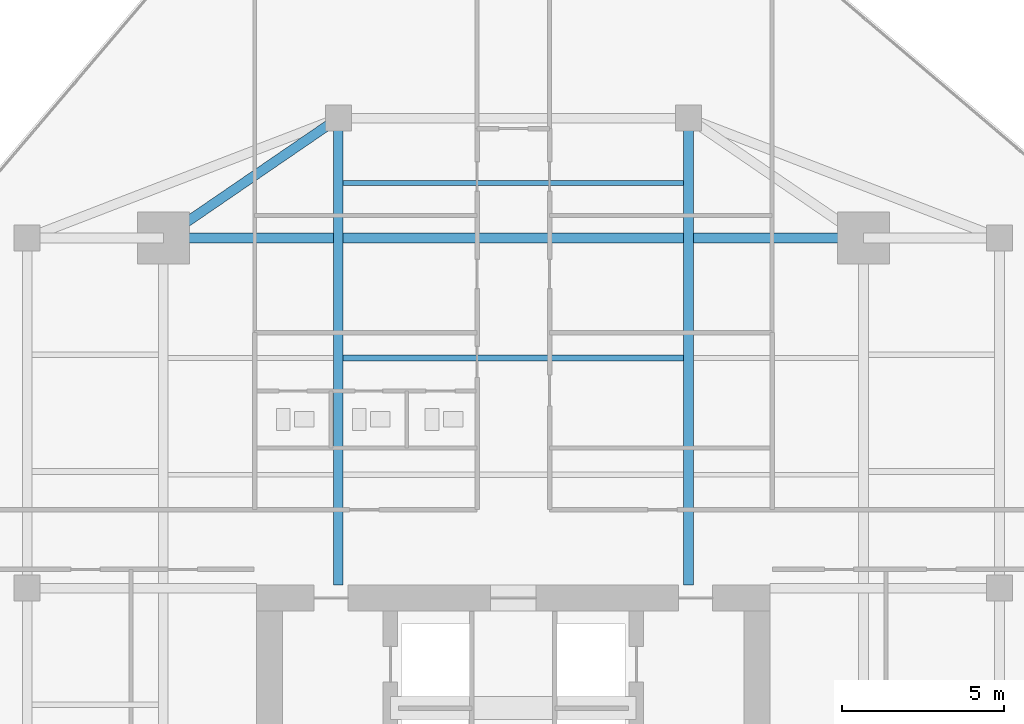
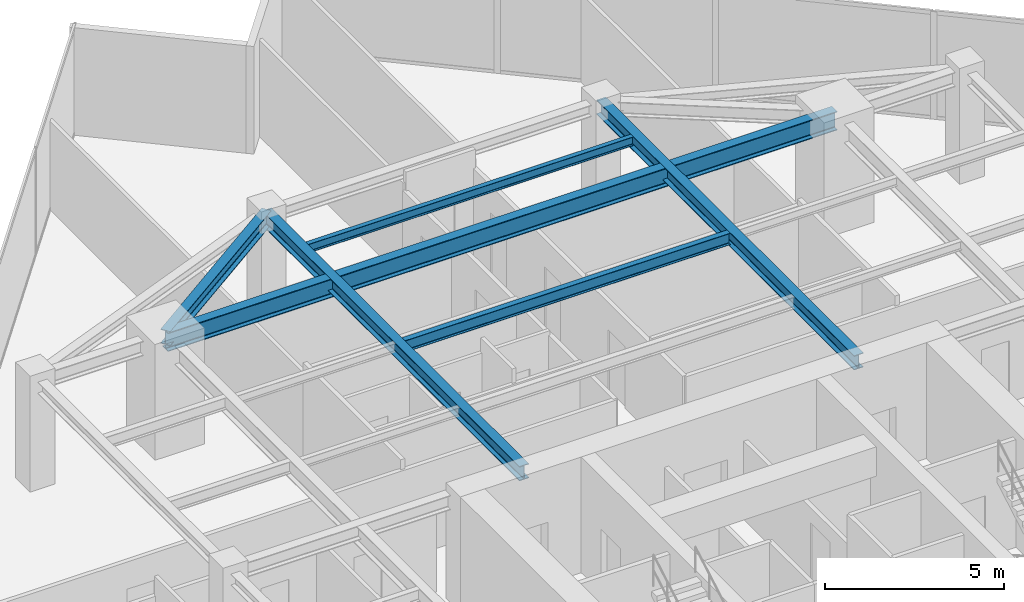
# One storey, part 16 of 25: 6 beams.
"""IFC4 building model written with IfcOpenShell, lengths in metres."""

from ifc_helpers import new_model, si_unit, direction, frame, origin, origin_2d, place, context, subcontext, project, spatial, i_section, extrude, source, transform, mapped, material, material_profile, profile_set, type_object, type_shapes, element, save


model = new_model("IFC4")

# Units and contexts
model_context = context("Model", 3, precision=1e-05, world=origin(), true_north=direction((0.0, 1.0)))
body_context = subcontext(model_context, "Body", "Model", "MODEL_VIEW")
ifc_project = project(units=[si_unit("LENGTHUNIT", "METRE"), si_unit("AREAUNIT", "SQUARE_METRE"), si_unit("VOLUMEUNIT", "CUBIC_METRE"), si_unit("PLANEANGLEUNIT", "RADIAN"), si_unit("MASSUNIT", "GRAM", prefix="KILO")], contexts=[model_context])

# Site, building, storey
site_placement = place(None, origin())
site = spatial("IfcSite", under=ifc_project, at=site_placement, CompositionType="ELEMENT")
building_placement = place(site_placement, origin())
building = spatial("IfcBuilding", under=site, at=building_placement, Name="Krantzveldt Concourse Tower", CompositionType="ELEMENT")
storey_placement = place(building_placement, frame((0.0, 0.0, 215.199951171875)))
storey = spatial("IfcBuildingStorey", under=building, at=storey_placement, Name="L52", CompositionType="ELEMENT", Elevation=215.199951171875)

# Beams
ifc_material = material(Name="Steel S355JR", Category="steel")
ifc_material_profile_1 = material_profile(ifc_material, i_section(OverallWidth=0.300048828125, OverallDepth=0.639892578125, WebThickness=0.013427734375, FlangeThickness=0.02587890625, FilletRadius=0.027099609375, at=origin_2d()), Name="Steel S355JR", Category="steel")
ifc_profile_set_1 = profile_set([ifc_material_profile_1], Name="Steel S355JR - HEA 650")
beam_type_1 = type_object("IfcBeamType", Name="BM-B-HEA650", PredefinedType="BEAM", material=ifc_profile_set_1)
shared_shape_1 = source(origin(), body_context, "Body", "SweptSolid", [
    extrude(i_section(OverallWidth=0.300048828125, OverallDepth=0.639892578125, WebThickness=0.013427734375, FlangeThickness=0.02587890625, FilletRadius=0.027099609375, at=origin_2d()), origin(), (0.0, 0.0, 1.0), 21.60009765625),
])
type_shapes(beam_type_1, [shared_shape_1])
beam_1_placement = place(storey_placement, frame((25.199951171875, 37.5, 3.35009765625), z_axis=(1.0, 0.0, 0.0), x_axis=(0.0, 1.0, 0.0)))
element("IfcBeam", 1, at=beam_1_placement, inside=storey, type_object=beam_type_1, Name="L52 Tower Girder BG-MN", PredefinedType="BEAM", context=body_context, shape_type="MappedRepresentation", body=[
    mapped(shared_shape_1, transform((0.0, 0.0, 0.0), x_axis=(1.0, 0.0, 0.0), y_axis=(0.0, 1.0, 0.0), z_axis=(0.0, 0.0, 1.0), scale=1.0)),
])
ifc_material_profile_2 = material_profile(ifc_material, i_section(OverallWidth=0.179931640625, OverallDepth=0.39990234375, WebThickness=0.008544921875, FlangeThickness=0.013427734375, FilletRadius=0.02099609375, at=origin_2d()), Name="Steel S355JR", Category="steel")
ifc_profile_set_2 = profile_set([ifc_material_profile_2], Name="Steel S355JR - IPE 400")
beam_type_2 = type_object("IfcBeamType", Name="BM-J-IPE400", PredefinedType="JOIST", material=ifc_profile_set_2)
shared_shape_2 = source(origin(), body_context, "Body", "SweptSolid", [
    extrude(i_section(OverallWidth=0.179931640625, OverallDepth=0.39990234375, WebThickness=0.008544921875, FlangeThickness=0.013427734375, FilletRadius=0.02099609375, at=origin_2d()), origin(), (0.0, 0.0, 1.0), 10.5),
])
type_shapes(beam_type_2, [shared_shape_2])
beam_2_placement = place(storey_placement, frame((30.75, 33.800048828125, 3.469970703125), z_axis=(1.0, 0.0, 0.0), x_axis=(0.0, 1.0, 0.0)))
element("IfcBeam", 2, at=beam_2_placement, inside=storey, type_object=beam_type_2, Name="L52 Secondary Floor Joist JN-C2", PredefinedType="JOIST", context=body_context, shape_type="MappedRepresentation", body=[
    mapped(shared_shape_2, transform((0.0, 0.0, 0.0), x_axis=(1.0, 0.0, 0.0), y_axis=(0.0, 1.0, 0.0), z_axis=(0.0, 0.0, 1.0), scale=1.0)),
])
ifc_material_profile_3 = material_profile(ifc_material, i_section(OverallWidth=0.300048828125, OverallDepth=0.489990234375, WebThickness=0.011962890625, FlangeThickness=0.02294921875, FilletRadius=0.027099609375, at=origin_2d()), Name="Steel S355JR", Category="steel")
ifc_profile_set_3 = profile_set([ifc_material_profile_3], Name="Steel S355JR - HEA 500")
beam_type_3 = type_object("IfcBeamType", Name="BM-B-HEA500", PredefinedType="BEAM", material=ifc_profile_set_3)
shared_shape_3 = source(origin(), body_context, "Body", "SweptSolid", [
    extrude(i_section(OverallWidth=0.300048828125, OverallDepth=0.489990234375, WebThickness=0.011962890625, FlangeThickness=0.02294921875, FilletRadius=0.027099609375, at=origin_2d()), origin(), (0.0, 0.0, 1.0), 14.39990234375),
])
for number, where, z_axis, x_axis, name in (
    (3, (30.60009765625, 26.800048828125, 3.425048828125), (0.0, 1.0, 0.0), (-1.0, 0.0, 0.0), "L52 Tower Girder BG-CNW"),
    (4, (41.39990234375, 26.800048828125, 3.425048828125), (0.0, 1.0, 0.0), (-1.0, 0.0, 0.0), "L52 Tower Girder BG-CNE"),
):
    element("IfcBeam", number, at=place(storey_placement, frame(where, z_axis=z_axis, x_axis=x_axis)), inside=storey, type_object=beam_type_3, Name=name, PredefinedType="BEAM", context=body_context, shape_type="MappedRepresentation", body=[
        mapped(shared_shape_3, transform((0.0, 0.0, 0.0), x_axis=(1.0, 0.0, 0.0), y_axis=(0.0, 1.0, 0.0), z_axis=(0.0, 0.0, 1.0), scale=1.0)),
    ])
shared_shape_4 = source(origin(), body_context, "Body", "SweptSolid", [
    extrude(i_section(OverallWidth=0.300048828125, OverallDepth=0.489990234375, WebThickness=0.011962890625, FlangeThickness=0.02294921875, FilletRadius=0.027099609375, at=origin_2d()), origin(), (0.0, 0.0, 1.0), 6.546142578125),
])
type_shapes(beam_type_3, [shared_shape_3, shared_shape_4])
beam_3_placement = place(storey_placement, frame((25.199951171875, 37.5, 3.425048828125), z_axis=(0.824942999484, 0.565215930068, 0.0), x_axis=(-0.565215930068, 0.824942999484, 0.0)))
element("IfcBeam", 5, at=beam_3_placement, inside=storey, type_object=beam_type_3, Name="L52 Tower Girder BR-RL4", PredefinedType="BEAM", context=body_context, shape_type="MappedRepresentation", body=[
    mapped(shared_shape_4, transform((0.0, 0.0, 0.0), x_axis=(1.0, 0.0, 0.0), y_axis=(0.0, 1.0, 0.0), z_axis=(0.0, 0.0, 1.0), scale=1.0)),
])
ifc_material_profile_4 = material_profile(ifc_material, i_section(OverallWidth=0.14990234375, OverallDepth=0.300048828125, WebThickness=0.007080078125, FlangeThickness=0.0107421875, FilletRadius=0.014892578125, at=origin_2d()), Name="Steel S355JR", Category="steel")
ifc_profile_set_4 = profile_set([ifc_material_profile_4], Name="Steel S355JR - IPE 300")
beam_type_4 = type_object("IfcBeamType", Name="BM-J-IPE300", PredefinedType="JOIST", material=ifc_profile_set_4)
shared_shape_5 = source(origin(), body_context, "Body", "SweptSolid", [
    extrude(i_section(OverallWidth=0.14990234375, OverallDepth=0.300048828125, WebThickness=0.007080078125, FlangeThickness=0.0107421875, FilletRadius=0.014892578125, at=origin_2d()), origin(), (0.0, 0.0, 1.0), 10.5),
])
type_shapes(beam_type_4, [shared_shape_5])
beam_4_placement = place(storey_placement, frame((30.75, 39.199951171875, 3.52001953125), z_axis=(1.0, 0.0, 0.0), x_axis=(0.0, 1.0, 0.0)))
element("IfcBeam", 6, at=beam_4_placement, inside=storey, type_object=beam_type_4, Name="L52 Secondary Floor Joist JN-C3", PredefinedType="JOIST", context=body_context, shape_type="MappedRepresentation", body=[
    mapped(shared_shape_5, transform((0.0, 0.0, 0.0), x_axis=(1.0, 0.0, 0.0), y_axis=(0.0, 1.0, 0.0), z_axis=(0.0, 0.0, 1.0), scale=1.0)),
])

save(model, "model.ifc")
